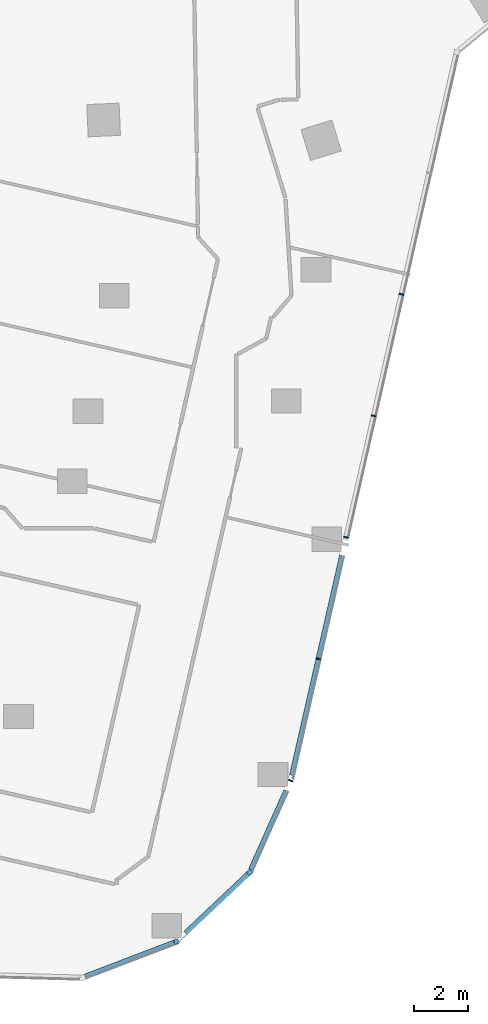
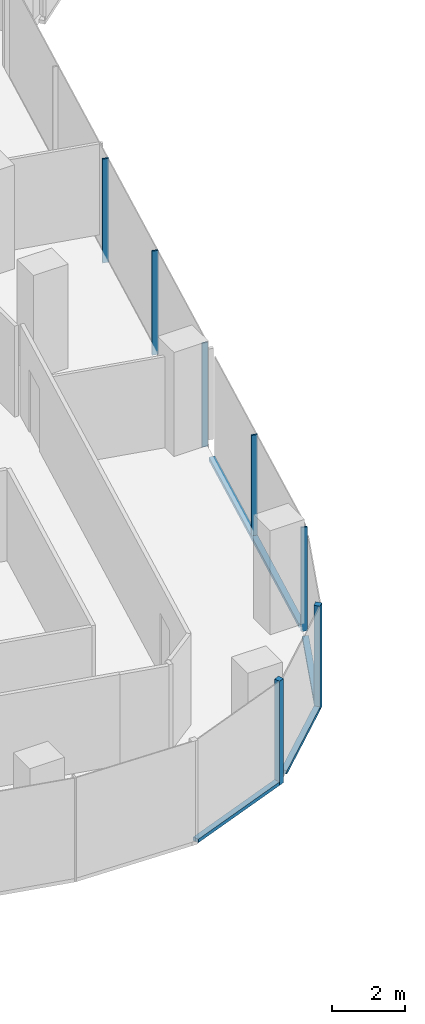
# One storey, part 5 of 24: 11 members, 4 elements without a shape of their own.
"""IFC4 building model written with IfcOpenShell, lengths in metres."""

from ifc_helpers import new_model, si_unit, direction, frame, origin, origin_2d, place, context, subcontext, project, spatial, rectangle, extrude, material, material_profile, profile_set, type_object, element, aggregate, save


model = new_model("IFC4")

# Units and contexts
model_context = context("Model", 3, precision=1e-05, world=origin(), true_north=direction((0.0, 1.0)))
body_context = subcontext(model_context, "Body", "Model", "MODEL_VIEW")
ifc_project = project(units=[si_unit("LENGTHUNIT", "METRE"), si_unit("AREAUNIT", "SQUARE_METRE"), si_unit("VOLUMEUNIT", "CUBIC_METRE"), si_unit("PLANEANGLEUNIT", "RADIAN"), si_unit("MASSUNIT", "GRAM", prefix="KILO")], contexts=[model_context])

# Site, building, storey
site_placement = place(None, origin())
site = spatial("IfcSite", under=ifc_project, at=site_placement, CompositionType="ELEMENT")
building_placement = place(site_placement, origin())
building = spatial("IfcBuilding", under=site, at=building_placement, Name="Orlundy Tower", CompositionType="ELEMENT")
storey_placement = place(building_placement, frame((0.0, 0.0, 177.60009765625)))
storey = spatial("IfcBuildingStorey", under=building, at=storey_placement, Name="L46", CompositionType="ELEMENT", Elevation=177.60009765625)

# Curtain wall, member
ifc_material_1 = material(Name="Aluminium bronze anodised", Category="aluminium")
curtain_wall_type = type_object("IfcCurtainWallType", Name="CW1 wall", PredefinedType="NOTDEFINED", material=ifc_material_1)
curtain_wall_1_placement = place(storey_placement, origin())
curtain_wall_1 = element("IfcCurtainWall", 1, at=curtain_wall_1_placement, inside=storey, type_object=curtain_wall_type, Name="CW1 run 020", PredefinedType="NOTDEFINED")
ifc_material_2 = material(Name="Aluminium bronze anodised", Category="aluminium")
ifc_material_profile_1 = material_profile(ifc_material_2, rectangle(XDim=0.179931640625, YDim=0.179931640625, at=origin_2d()), Name="CW1 corner post 180x180")
ifc_profile_set_1 = profile_set([ifc_material_profile_1], Name="Aluminium bronze anodised")
member_type_1 = type_object("IfcMemberType", Name="CW1 corner post 180x180", PredefinedType="MULLION", material=ifc_profile_set_1)
member_1_placement = place(storey_placement, frame((6.73486328125, -57.60498046875, -0.420166015625), z_axis=(0.0, 0.0, 1.0), x_axis=(0.687280644864, -0.726391984534, 0.0)))
member_1 = element("IfcMember", 2, at=member_1_placement, type_object=member_type_1, Name="CW1 mullion 50", PredefinedType="MULLION", context=body_context, shape_type="SweptSolid", body=[
    extrude(rectangle(XDim=0.179931640625, YDim=0.179931640625, at=origin_2d()), origin(), (0.0, 0.0, 1.0), 3.5),
])

curtain_wall_2_placement = place(storey_placement, origin())
curtain_wall_2 = element("IfcCurtainWall", 3, at=curtain_wall_2_placement, inside=storey, type_object=curtain_wall_type, Name="CW1 run 021", PredefinedType="NOTDEFINED")
member_2_placement = place(storey_placement, frame((4.015869140625, -60.177734375, -0.420166015625), z_axis=(0.0, 0.0, 1.0), x_axis=(0.356971292489, -0.934115354942, 0.0)))
member_2 = element("IfcMember", 4, at=member_2_placement, type_object=member_type_1, Name="CW1 mullion 51", PredefinedType="MULLION", context=body_context, shape_type="SweptSolid", body=[
    extrude(rectangle(XDim=0.179931640625, YDim=0.179931640625, at=origin_2d()), origin(), (0.0, 0.0, 1.0), 3.5),
])

# Curtain wall, members
curtain_wall_3_placement = place(storey_placement, origin())
curtain_wall_3 = element("IfcCurtainWall", 5, at=curtain_wall_3_placement, inside=storey, type_object=curtain_wall_type, Name="CW1 run 018", PredefinedType="NOTDEFINED")
ifc_material_3 = material(Name="Aluminium bronze anodised", Category="aluminium")
ifc_material_profile_2 = material_profile(ifc_material_3, rectangle(XDim=0.179931640625, YDim=0.050048828125, at=origin_2d()), Name="CW1 mullion 50x180")
ifc_profile_set_2 = profile_set([ifc_material_profile_2], Name="Aluminium bronze anodised")
member_type_2 = type_object("IfcMemberType", Name="CW1 mullion 50x180", PredefinedType="MULLION", material=ifc_profile_set_2)
member_3_placement = place(storey_placement, frame((12.374755859375, -36.1279296875, -0.420166015625), z_axis=(0.0, 0.0, 1.0), x_axis=(0.975022425628, -0.222106437373, 0.0)))
member_3 = element("IfcMember", 6, at=member_3_placement, type_object=member_type_2, Name="CW1 mullion 45", PredefinedType="MULLION", context=body_context, shape_type="SweptSolid", body=[
    extrude(rectangle(XDim=0.179931640625, YDim=0.050048828125, at=origin_2d()), origin(), (0.0, 0.0, 1.0), 3.5),
])
member_4_placement = place(storey_placement, frame((11.34619140625, -40.64306640625, -0.420166015625), z_axis=(0.0, 0.0, 1.0), x_axis=(0.975022425628, -0.222106437373, 0.0)))
member_4 = element("IfcMember", 7, at=member_4_placement, type_object=member_type_2, Name="CW1 mullion 46", PredefinedType="MULLION", context=body_context, shape_type="SweptSolid", body=[
    extrude(rectangle(XDim=0.179931640625, YDim=0.050048828125, at=origin_2d()), origin(), (0.0, 0.0, 1.0), 3.5),
])
member_5_placement = place(storey_placement, frame((10.31787109375, -45.157958984375, -0.420166015625), z_axis=(0.0, 0.0, 1.0), x_axis=(0.975022425628, -0.222106437373, 0.0)))
member_5 = element("IfcMember", 8, at=member_5_placement, type_object=member_type_2, Name="CW1 mullion 47", PredefinedType="MULLION", context=body_context, shape_type="SweptSolid", body=[
    extrude(rectangle(XDim=0.179931640625, YDim=0.050048828125, at=origin_2d()), origin(), (0.0, 0.0, 1.0), 3.5),
])
member_6_placement = place(storey_placement, frame((9.289306640625, -49.673095703125, -0.420166015625), z_axis=(0.0, 0.0, 1.0), x_axis=(0.975022425628, -0.222106437373, 0.0)))
member_6 = element("IfcMember", 9, at=member_6_placement, type_object=member_type_2, Name="CW1 mullion 48", PredefinedType="MULLION", context=body_context, shape_type="SweptSolid", body=[
    extrude(rectangle(XDim=0.179931640625, YDim=0.050048828125, at=origin_2d()), origin(), (0.0, 0.0, 1.0), 3.5),
])

# Curtain wall, member
curtain_wall_4_placement = place(storey_placement, origin())
curtain_wall_4 = element("IfcCurtainWall", 10, at=curtain_wall_4_placement, inside=storey, type_object=curtain_wall_type, Name="CW1 run 019", PredefinedType="NOTDEFINED")
member_7_placement = place(storey_placement, frame((8.2587890625, -54.196533203125, -0.420166015625), z_axis=(0.0, 0.0, 1.0), x_axis=(0.948538326866, -0.316662347725, 0.0)))
member_7 = element("IfcMember", 11, at=member_7_placement, type_object=member_type_2, Name="CW1 mullion 49", PredefinedType="MULLION", context=body_context, shape_type="SweptSolid", body=[
    extrude(rectangle(XDim=0.179931640625, YDim=0.050048828125, at=origin_2d()), origin(), (0.0, 0.0, 1.0), 3.5),
])

# Member
ifc_material_4 = material(Name="Aluminium bronze anodised", Category="aluminium")
ifc_material_profile_3 = material_profile(ifc_material_4, rectangle(XDim=0.179931640625, YDim=0.1201171875, at=origin_2d()), Name="CW1 transom 180x120")
ifc_profile_set_3 = profile_set([ifc_material_profile_3], Name="Aluminium bronze anodised")
member_type_3 = type_object("IfcMemberType", Name="CW1 transom 180x120", PredefinedType="USERDEFINED", material=ifc_profile_set_3)
member_8_placement = place(storey_placement, frame((10.165283203125, -45.826904296875, -0.360107421875), z_axis=(-0.222097782394, -0.975024397159, 0.0), x_axis=(0.975024397159, -0.222097782394, 0.0)))
member_8 = element("IfcMember", 12, at=member_8_placement, type_object=member_type_3, Name="CW1 transom", ObjectType="TRANSOM", PredefinedType="USERDEFINED", context=body_context, shape_type="SweptSolid", body=[
    extrude(rectangle(XDim=0.179931640625, YDim=0.1201171875, at=origin_2d()), origin(), (0.0, 0.0, 1.0), 8.389404296875),
])

aggregate(curtain_wall_3, [member_3, member_4, member_5, member_6, member_8])

member_9_placement = place(storey_placement, frame((8.091796875, -54.570068359375, -0.360107421875), z_axis=(-0.408152053021, -0.912913961781, 0.0), x_axis=(0.912913961781, -0.408152053021, 0.0)))
member_9 = element("IfcMember", 13, at=member_9_placement, type_object=member_type_3, Name="CW1 transom", ObjectType="TRANSOM", PredefinedType="USERDEFINED", context=body_context, shape_type="SweptSolid", body=[
    extrude(rectangle(XDim=0.179931640625, YDim=0.1201171875, at=origin_2d()), origin(), (0.0, 0.0, 1.0), 3.22705078125),
])

aggregate(curtain_wall_4, [member_7, member_9])

member_10_placement = place(storey_placement, frame((6.66943359375, -57.6669921875, -0.360107421875), z_axis=(-0.726392140314, -0.687280480219, 0.0), x_axis=(0.687280480219, -0.726392140314, 0.0)))
member_10 = element("IfcMember", 14, at=member_10_placement, type_object=member_type_3, Name="CW1 transom", ObjectType="TRANSOM", PredefinedType="USERDEFINED", context=body_context, shape_type="SweptSolid", body=[
    extrude(rectangle(XDim=0.179931640625, YDim=0.1201171875, at=origin_2d()), origin(), (0.0, 0.0, 1.0), 3.196044921875),
])

aggregate(curtain_wall_1, [member_1, member_10])

member_11_placement = place(storey_placement, frame((3.931884765625, -60.209716796875, -0.360107421875), z_axis=(-0.934106404505, -0.356994712934, 0.0), x_axis=(0.356994712934, -0.934106404505, 0.0)))
member_11 = element("IfcMember", 15, at=member_11_placement, type_object=member_type_3, Name="CW1 transom", ObjectType="TRANSOM", PredefinedType="USERDEFINED", context=body_context, shape_type="SweptSolid", body=[
    extrude(rectangle(XDim=0.179931640625, YDim=0.1201171875, at=origin_2d()), origin(), (0.0, 0.0, 1.0), 3.5546875),
])

aggregate(curtain_wall_2, [member_2, member_11])

save(model, "model.ifc")
